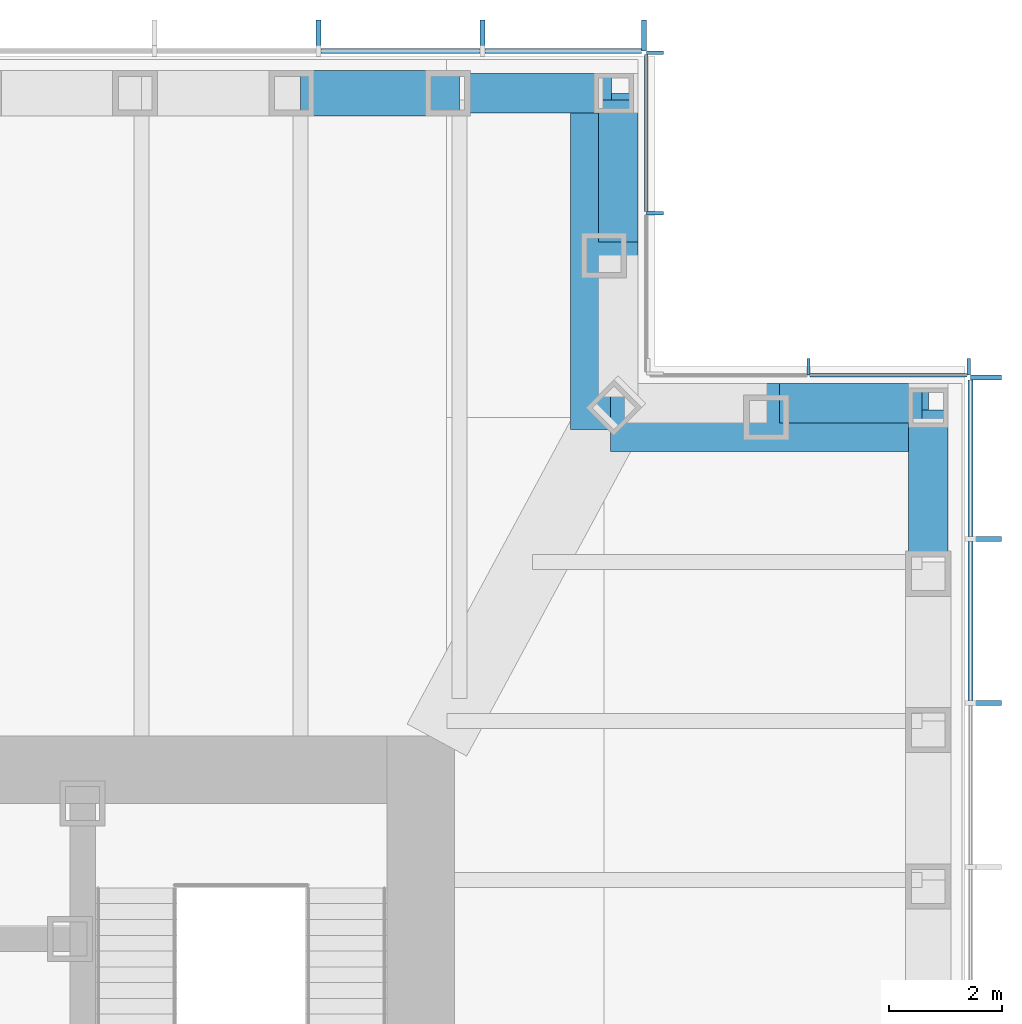
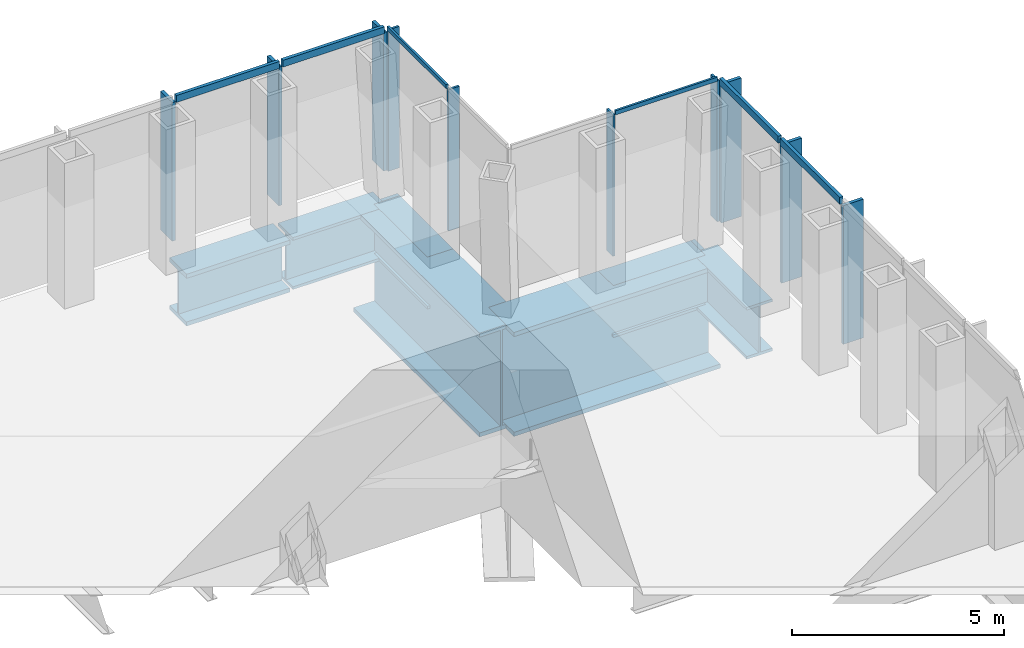
# One storey, part 6 of 14: 16 members, 7 beams, 4 elements without a shape of their own.
"""IFC4 building model written with IfcOpenShell, lengths in metres."""

from ifc_helpers import new_model, si_unit, direction, frame, origin, origin_2d, place, context, subcontext, project, spatial, rectangle, i_section, extrude, material, material_profile, profile_set, type_object, element, aggregate, save


model = new_model("IFC4")

# Units and contexts
model_context = context("Model", 3, precision=1e-05, world=origin(), true_north=direction((0.0, 1.0)))
body_context = subcontext(model_context, "Body", "Model", "MODEL_VIEW")
ifc_project = project(units=[si_unit("LENGTHUNIT", "METRE"), si_unit("AREAUNIT", "SQUARE_METRE"), si_unit("VOLUMEUNIT", "CUBIC_METRE"), si_unit("PLANEANGLEUNIT", "RADIAN"), si_unit("MASSUNIT", "GRAM", prefix="KILO")], contexts=[model_context])

# Site, building, storey
site_placement = place(None, origin())
site = spatial("IfcSite", under=ifc_project, at=site_placement, CompositionType="ELEMENT")
building_placement = place(site_placement, origin())
building = spatial("IfcBuilding", under=site, at=building_placement, Name="Daluyong Arena Tower", CompositionType="ELEMENT")
storey_placement = place(building_placement, frame((0.0, 0.0, 250.300048828125)))
storey = spatial("IfcBuildingStorey", under=building, at=storey_placement, Name="L56", CompositionType="ELEMENT", Elevation=250.300048828125)

# Curtain wall, members
ifc_material_1 = material(Name="Bronze anodised aluminium and glass", Category="aluminium")
curtain_wall_type_1 = type_object("IfcCurtainWallType", Name="Curtain wall CW4", PredefinedType="USERDEFINED", material=ifc_material_1)
curtain_wall_1_placement = place(storey_placement, origin())
curtain_wall_1 = element("IfcCurtainWall", 1, at=curtain_wall_1_placement, inside=storey, type_object=curtain_wall_type_1, Name="curtain wall L56 E", ObjectType="UNITISED CURTAIN WALL", PredefinedType="USERDEFINED")
ifc_material_2 = material(Name="Bronze anodised aluminium fin", Category="aluminium")
ifc_material_profile_1 = material_profile(ifc_material_2, rectangle(XDim=0.550048828125, YDim=0.090087890625, at=origin_2d()))
ifc_profile_set_1 = profile_set([ifc_material_profile_1], Name="Bronze anodised aluminium fin")
member_type_1 = type_object("IfcMemberType", Name="CW4 bronze fin 550x90", PredefinedType="MULLION", material=ifc_profile_set_1)
member_1_placement = place(storey_placement, frame((78.02490234375, 90.181884765625, 0.0), z_axis=(0.0, 0.0, 1.0), x_axis=(-1.0, 0.0, 0.0)))
member_1 = element("IfcMember", 2, at=member_1_placement, type_object=member_type_1, Name="curtain wall L56 E fin 10", PredefinedType="MULLION", context=body_context, shape_type="SweptSolid", body=[
    extrude(rectangle(XDim=0.550048828125, YDim=0.090087890625, at=origin_2d()), origin(), (0.0, 0.0, 1.0), 4.0),
])
member_2_placement = place(storey_placement, frame((78.02490234375, 93.0908203125, 0.0), z_axis=(0.0, 0.0, 1.0), x_axis=(-1.0, 0.0, 0.0)))
member_2 = element("IfcMember", 3, at=member_2_placement, type_object=member_type_1, Name="curtain wall L56 E fin 11", PredefinedType="MULLION", context=body_context, shape_type="SweptSolid", body=[
    extrude(rectangle(XDim=0.550048828125, YDim=0.090087890625, at=origin_2d()), origin(), (0.0, 0.0, 1.0), 4.0),
])
member_3_placement = place(storey_placement, frame((78.02490234375, 95.955078125, 0.0), z_axis=(0.0, 0.0, 1.0), x_axis=(-1.0, 0.0, 0.0)))
member_3 = element("IfcMember", 4, at=member_3_placement, type_object=member_type_1, Name="curtain wall L56 E fin 12", PredefinedType="MULLION", context=body_context, shape_type="SweptSolid", body=[
    extrude(rectangle(XDim=0.550048828125, YDim=0.090087890625, at=origin_2d()), origin(), (0.0, 0.0, 1.0), 4.0),
])

curtain_wall_2_placement = place(storey_placement, origin())
curtain_wall_2 = element("IfcCurtainWall", 5, at=curtain_wall_2_placement, inside=storey, type_object=curtain_wall_type_1, Name="curtain wall L56 N", ObjectType="UNITISED CURTAIN WALL", PredefinedType="USERDEFINED")
member_4_placement = place(storey_placement, frame((71.955078125, 102.02490234375, 0.0), z_axis=(0.0, 0.0, 1.0), x_axis=(0.0, -1.0, 0.0)))
member_4 = element("IfcMember", 6, at=member_4_placement, type_object=member_type_1, Name="curtain wall L56 N fin 1", PredefinedType="MULLION", context=body_context, shape_type="SweptSolid", body=[
    extrude(rectangle(XDim=0.550048828125, YDim=0.090087890625, at=origin_2d()), origin(), (0.0, 0.0, 1.0), 4.0),
])
member_5_placement = place(storey_placement, frame((69.0908203125, 102.02490234375, 0.0), z_axis=(0.0, 0.0, 1.0), x_axis=(0.0, -1.0, 0.0)))
member_5 = element("IfcMember", 7, at=member_5_placement, type_object=member_type_1, Name="curtain wall L56 N fin 2", PredefinedType="MULLION", context=body_context, shape_type="SweptSolid", body=[
    extrude(rectangle(XDim=0.550048828125, YDim=0.090087890625, at=origin_2d()), origin(), (0.0, 0.0, 1.0), 4.0),
])
member_6_placement = place(storey_placement, frame((66.181884765625, 102.02490234375, 0.0), z_axis=(0.0, 0.0, 1.0), x_axis=(0.0, -1.0, 0.0)))
member_6 = element("IfcMember", 8, at=member_6_placement, type_object=member_type_1, Name="curtain wall L56 N fin 3", PredefinedType="MULLION", context=body_context, shape_type="SweptSolid", body=[
    extrude(rectangle(XDim=0.550048828125, YDim=0.090087890625, at=origin_2d()), origin(), (0.0, 0.0, 1.0), 4.0),
])

# Member
ifc_material_3 = material(Name="Bronze anodised aluminium", Category="aluminium")
ifc_material_profile_2 = material_profile(ifc_material_3, rectangle(XDim=0.090087890625, YDim=0.199951171875, at=origin_2d()))
ifc_profile_set_2 = profile_set([ifc_material_profile_2], Name="Bronze anodised aluminium")
member_type_2 = type_object("IfcMemberType", Name="CW4 stack transom 200x90", PredefinedType="USERDEFINED", material=ifc_profile_set_2)
member_7_placement = place(storey_placement, frame((77.75, 90.226806640625, 4.099853515625), z_axis=(0.0, 1.0, 0.0), x_axis=(-1.0, 0.0, 0.0)))
member_7 = element("IfcMember", 9, at=member_7_placement, type_object=member_type_2, Name="curtain wall L56 E transom 10", ObjectType="TRANSOM", PredefinedType="USERDEFINED", context=body_context, shape_type="SweptSolid", body=[
    extrude(rectangle(XDim=0.090087890625, YDim=0.199951171875, at=origin_2d()), origin(), (0.0, 0.0, 1.0), 2.819091796875),
])

member_8_placement = place(storey_placement, frame((77.75, 93.135986328125, 4.099853515625), z_axis=(0.0, 1.0, 0.0), x_axis=(-1.0, 0.0, 0.0)))
member_8 = element("IfcMember", 10, at=member_8_placement, type_object=member_type_2, Name="curtain wall L56 E transom 11", ObjectType="TRANSOM", PredefinedType="USERDEFINED", context=body_context, shape_type="SweptSolid", body=[
    extrude(rectangle(XDim=0.090087890625, YDim=0.199951171875, at=origin_2d()), origin(), (0.0, 0.0, 1.0), 2.77392578125),
])

aggregate(curtain_wall_1, [member_1, member_2, member_3, member_7, member_8])

member_9_placement = place(storey_placement, frame((71.909912109375, 101.75, 4.099853515625), z_axis=(-1.0, 0.0, 0.0), x_axis=(0.0, -1.0, 0.0)))
member_9 = element("IfcMember", 11, at=member_9_placement, type_object=member_type_2, Name="curtain wall L56 N transom 1", ObjectType="TRANSOM", PredefinedType="USERDEFINED", context=body_context, shape_type="SweptSolid", body=[
    extrude(rectangle(XDim=0.090087890625, YDim=0.199951171875, at=origin_2d()), origin(), (0.0, 0.0, 1.0), 2.77392578125),
])

member_10_placement = place(storey_placement, frame((69.0458984375, 101.75, 4.099853515625), z_axis=(-1.0, 0.0, 0.0), x_axis=(0.0, -1.0, 0.0)))
member_10 = element("IfcMember", 12, at=member_10_placement, type_object=member_type_2, Name="curtain wall L56 N transom 2", ObjectType="TRANSOM", PredefinedType="USERDEFINED", context=body_context, shape_type="SweptSolid", body=[
    extrude(rectangle(XDim=0.090087890625, YDim=0.199951171875, at=origin_2d()), origin(), (0.0, 0.0, 1.0), 2.819091796875),
])

aggregate(curtain_wall_2, [member_4, member_5, member_6, member_9, member_10])

# Curtain wall, members
ifc_material_4 = material(Name="Bronze anodised aluminium and glass", Category="aluminium")
curtain_wall_type_2 = type_object("IfcCurtainWallType", Name="Curtain wall CW7", PredefinedType="USERDEFINED", material=ifc_material_4)
curtain_wall_3_placement = place(storey_placement, origin())
curtain_wall_3 = element("IfcCurtainWall", 13, at=curtain_wall_3_placement, inside=storey, type_object=curtain_wall_type_2, Name="curtain wall L56 NE-N", ObjectType="UNITISED CURTAIN WALL", PredefinedType="USERDEFINED")
ifc_material_5 = material(Name="Bronze anodised aluminium fin", Category="aluminium")
ifc_material_profile_3 = material_profile(ifc_material_5, rectangle(XDim=0.300048828125, YDim=0.06005859375, at=origin_2d()))
ifc_profile_set_3 = profile_set([ifc_material_profile_3], Name="Bronze anodised aluminium fin")
member_type_3 = type_object("IfcMemberType", Name="CW7 bronze fin 300x60", PredefinedType="MULLION", material=ifc_profile_set_3)
member_11_placement = place(storey_placement, frame((77.719970703125, 96.14990234375, 0.0), z_axis=(0.0, 0.0, 1.0), x_axis=(0.0, -1.0, 0.0)))
member_11 = element("IfcMember", 14, at=member_11_placement, type_object=member_type_3, Name="curtain wall L56 NE-N fin 1", PredefinedType="MULLION", context=body_context, shape_type="SweptSolid", body=[
    extrude(rectangle(XDim=0.300048828125, YDim=0.06005859375, at=origin_2d()), origin(), (0.0, 0.0, 1.0), 4.079833984375),
])
member_12_placement = place(storey_placement, frame((74.875, 96.14990234375, 0.0), z_axis=(0.0, 0.0, 1.0), x_axis=(0.0, -1.0, 0.0)))
member_12 = element("IfcMember", 15, at=member_12_placement, type_object=member_type_3, Name="curtain wall L56 NE-N fin 2", PredefinedType="MULLION", context=body_context, shape_type="SweptSolid", body=[
    extrude(rectangle(XDim=0.300048828125, YDim=0.06005859375, at=origin_2d()), origin(), (0.0, 0.0, 1.0), 4.079833984375),
])

curtain_wall_4_placement = place(storey_placement, origin())
curtain_wall_4 = element("IfcCurtainWall", 16, at=curtain_wall_4_placement, inside=storey, type_object=curtain_wall_type_2, Name="curtain wall L56 NE-E", ObjectType="UNITISED CURTAIN WALL", PredefinedType="USERDEFINED")
member_13_placement = place(storey_placement, frame((72.14990234375, 98.875, 0.0), z_axis=(0.0, 0.0, 1.0), x_axis=(-1.0, 0.0, 0.0)))
member_13 = element("IfcMember", 17, at=member_13_placement, type_object=member_type_3, Name="curtain wall L56 NE-E fin 2", PredefinedType="MULLION", context=body_context, shape_type="SweptSolid", body=[
    extrude(rectangle(XDim=0.300048828125, YDim=0.06005859375, at=origin_2d()), origin(), (0.0, 0.0, 1.0), 4.079833984375),
])
member_14_placement = place(storey_placement, frame((72.14990234375, 101.719970703125, 0.0), z_axis=(0.0, 0.0, 1.0), x_axis=(-1.0, 0.0, 0.0)))
member_14 = element("IfcMember", 18, at=member_14_placement, type_object=member_type_3, Name="curtain wall L56 NE-E fin 3", PredefinedType="MULLION", context=body_context, shape_type="SweptSolid", body=[
    extrude(rectangle(XDim=0.300048828125, YDim=0.06005859375, at=origin_2d()), origin(), (0.0, 0.0, 1.0), 4.079833984375),
])

# Member
ifc_material_6 = material(Name="Bronze anodised aluminium", Category="aluminium")
ifc_material_profile_4 = material_profile(ifc_material_6, rectangle(XDim=0.06005859375, YDim=0.1201171875, at=origin_2d()))
ifc_profile_set_4 = profile_set([ifc_material_profile_4], Name="Bronze anodised aluminium")
member_type_4 = type_object("IfcMemberType", Name="CW7 stack transom 120x60", PredefinedType="USERDEFINED", material=ifc_profile_set_4)
member_15_placement = place(storey_placement, frame((77.68994140625, 96.0, 4.139892578125), z_axis=(-1.0, 0.0, 0.0), x_axis=(0.0, -1.0, 0.0)))
member_15 = element("IfcMember", 19, at=member_15_placement, type_object=member_type_4, Name="curtain wall L56 NE-N transom 1", ObjectType="TRANSOM", PredefinedType="USERDEFINED", context=body_context, shape_type="SweptSolid", body=[
    extrude(rectangle(XDim=0.06005859375, YDim=0.1201171875, at=origin_2d()), origin(), (0.0, 0.0, 1.0), 2.784912109375),
])

aggregate(curtain_wall_3, [member_11, member_12, member_15])

member_16_placement = place(storey_placement, frame((72.0, 98.905029296875, 4.139892578125), z_axis=(0.0, 1.0, 0.0), x_axis=(-1.0, 0.0, 0.0)))
member_16 = element("IfcMember", 20, at=member_16_placement, type_object=member_type_4, Name="curtain wall L56 NE-E transom 2", ObjectType="TRANSOM", PredefinedType="USERDEFINED", context=body_context, shape_type="SweptSolid", body=[
    extrude(rectangle(XDim=0.06005859375, YDim=0.1201171875, at=origin_2d()), origin(), (0.0, 0.0, 1.0), 2.784912109375),
])

aggregate(curtain_wall_4, [member_13, member_14, member_16])

# Beams
ifc_material_7 = material(Name="Steel ASTM A572 Grade 50", Category="steel")
ifc_material_profile_5 = material_profile(ifc_material_7, i_section(OverallWidth=0.699951171875, OverallDepth=1.5, WebThickness=0.04, FlangeThickness=0.08, at=origin_2d()))
ifc_profile_set_5 = profile_set([ifc_material_profile_5], Name="Steel ASTM A572 Grade 50")
beam_type_1 = type_object("IfcBeamType", Name="Spandrel Z3 PG1500X700", PredefinedType="SPANDREL", material=ifc_profile_set_5)
beam_1_placement = place(storey_placement, frame((77.0, 92.796875, -0.91015625), z_axis=(0.0, 1.0, 0.0), x_axis=(-1.0, 0.0, 0.0)))
element("IfcBeam", 21, at=beam_1_placement, inside=storey, type_object=beam_type_1, Name="spandrel z3 SB8", PredefinedType="SPANDREL", context=body_context, shape_type="SweptSolid", body=[
    extrude(i_section(OverallWidth=0.699951171875, OverallDepth=1.5, WebThickness=0.04, FlangeThickness=0.08, at=origin_2d()), origin(), (0.0, 0.0, 1.0), 2.588134765625),
])
for number, where, z_axis, x_axis, name in (
    (22, (76.885009765625, 95.5, -0.91015625), (-1.0, 0.0, 0.0), (0.0, -1.0, 0.0), "spandrel z3 SB8"),
    (23, (71.5, 98.364990234375, -0.91015625), (0.0, 1.0, 0.0), (-1.0, 0.0, 0.0), "spandrel z3 SB8"),
):
    element("IfcBeam", number, at=place(storey_placement, frame(where, z_axis=z_axis, x_axis=x_axis)), inside=storey, type_object=beam_type_1, Name=name, PredefinedType="SPANDREL", context=body_context, shape_type="SweptSolid", body=[
        extrude(i_section(OverallWidth=0.699951171875, OverallDepth=1.5, WebThickness=0.04, FlangeThickness=0.08, at=origin_2d()), origin(), (0.0, 0.0, 1.0), 2.52001953125),
    ])
beam_2_placement = place(storey_placement, frame((71.385009765625, 101.0, -0.91015625), z_axis=(-1.0, 0.0, 0.0), x_axis=(0.0, -1.0, 0.0)))
element("IfcBeam", 24, at=beam_2_placement, inside=storey, type_object=beam_type_1, Name="spandrel z3 SB8", PredefinedType="SPANDREL", context=body_context, shape_type="SweptSolid", body=[
    extrude(i_section(OverallWidth=0.699951171875, OverallDepth=1.5, WebThickness=0.04, FlangeThickness=0.08, at=origin_2d()), origin(), (0.0, 0.0, 1.0), 2.588134765625),
])
ifc_material_8 = material(Name="Steel ASTM A588 Grade 50", Category="steel")
ifc_material_profile_6 = material_profile(ifc_material_8, i_section(OverallWidth=1.199951171875, OverallDepth=3.0, WebThickness=0.06, FlangeThickness=0.12, at=origin_2d()))
ifc_profile_set_6 = profile_set([ifc_material_profile_6], Name="Steel ASTM A588 Grade 50")
beam_type_2 = type_object("IfcBeamType", Name="Transfer beam PG3000X1200", PredefinedType="BEAM", material=ifc_profile_set_6)
beam_3_placement = place(storey_placement, frame((71.365478515625, 95.25, -1.66015625), z_axis=(1.0, 0.0, 0.0), x_axis=(0.0, 1.0, 0.0)))
element("IfcBeam", 25, at=beam_3_placement, inside=storey, type_object=beam_type_2, Name="transfer beam TR5", PredefinedType="BEAM", context=body_context, shape_type="SweptSolid", body=[
    extrude(i_section(OverallWidth=1.199951171875, OverallDepth=3.0, WebThickness=0.06, FlangeThickness=0.12, at=origin_2d()), origin(), (0.0, 0.0, 1.0), 5.634521484375),
])
beam_4_placement = place(storey_placement, frame((71.25, 95.03564453125, -1.66015625), z_axis=(0.0, 1.0, 0.0), x_axis=(-1.0, 0.0, 0.0)))
element("IfcBeam", 26, at=beam_4_placement, inside=storey, type_object=beam_type_2, Name="transfer beam TR5", PredefinedType="BEAM", context=body_context, shape_type="SweptSolid", body=[
    extrude(i_section(OverallWidth=1.199951171875, OverallDepth=3.0, WebThickness=0.06, FlangeThickness=0.12, at=origin_2d()), origin(), (0.0, 0.0, 1.0), 5.96435546875),
])
ifc_material_9 = material(Name="Steel ASTM A588 Grade 50", Category="steel")
ifc_material_profile_7 = material_profile(ifc_material_9, i_section(OverallWidth=0.800048828125, OverallDepth=1.5, WebThickness=0.05, FlangeThickness=0.12, at=origin_2d()))
ifc_profile_set_7 = profile_set([ifc_material_profile_7], Name="Steel ASTM A588 Grade 50")
beam_type_3 = type_object("IfcBeamType", Name="Transfer spandrel PG1500X800", PredefinedType="SPANDREL", material=ifc_profile_set_7)
beam_5_placement = place(storey_placement, frame((68.681884765625, 101.0, -0.91015625), z_axis=(-1.0, 0.0, 0.0), x_axis=(0.0, -1.0, 0.0)))
element("IfcBeam", 27, at=beam_5_placement, inside=storey, type_object=beam_type_3, Name="transfer spandrel TS1", PredefinedType="SPANDREL", context=body_context, shape_type="SweptSolid", body=[
    extrude(i_section(OverallWidth=0.800048828125, OverallDepth=1.5, WebThickness=0.05, FlangeThickness=0.12, at=origin_2d()), origin(), (0.0, 0.0, 1.0), 2.818359375),
])

save(model, "model.ifc")
